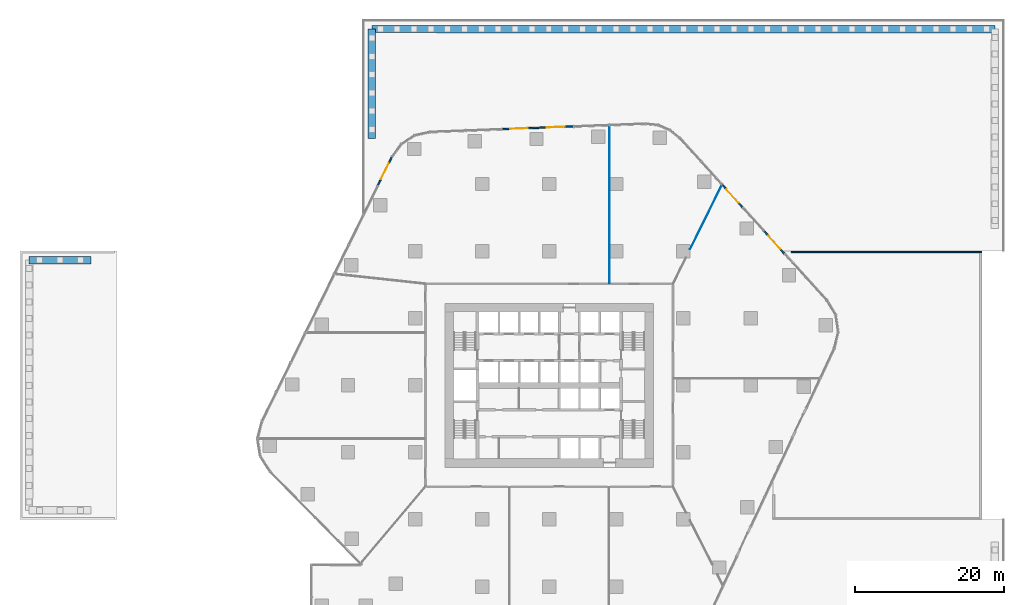
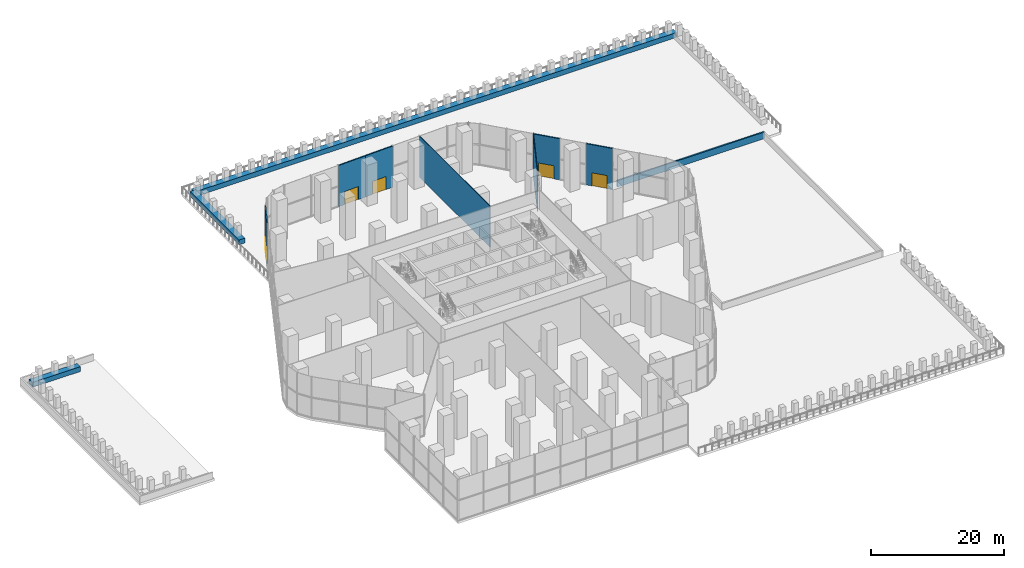
# One storey, part 17 of 22: 11 walls, 5 doors, 5 openings.
"""IFC4 building model written with IfcOpenShell, lengths in metres."""

from ifc_helpers import new_model, si_unit, direction, frame, frame_2d, origin, place, context, subcontext, project, spatial, rectangle, extrude, material, layer, layer_set, type_object, element, fill, save


model = new_model("IFC4")

# Units and contexts
model_context = context("Model", 3, precision=1e-05, world=origin(), true_north=direction((0.0, 1.0)))
body_context = subcontext(model_context, "Body", "Model", "MODEL_VIEW")
ifc_project = project(units=[si_unit("LENGTHUNIT", "METRE"), si_unit("AREAUNIT", "SQUARE_METRE"), si_unit("VOLUMEUNIT", "CUBIC_METRE"), si_unit("PLANEANGLEUNIT", "RADIAN"), si_unit("MASSUNIT", "GRAM", prefix="KILO")], contexts=[model_context])

# Site, building, storey
site_placement = place(None, origin())
site = spatial("IfcSite", under=ifc_project, at=site_placement, CompositionType="ELEMENT")
building_placement = place(site_placement, origin())
building = spatial("IfcBuilding", under=site, at=building_placement, Name="Dongbaek Canopy Tower", CompositionType="ELEMENT")
storey_placement = place(building_placement, frame((0.0, 0.0, 19.0)))
storey = spatial("IfcBuildingStorey", under=building, at=storey_placement, Name="L02", CompositionType="ELEMENT", Elevation=19.0)

# Wall, opening, door
ifc_material_1 = material(Name="Aluminium window wall", Category="aluminium")
ifc_layer_1 = layer(ifc_material_1, 0.199951171875)
ifc_layer_set_1 = layer_set([ifc_layer_1], Name="Entrance wall 200")
wall_type_1 = type_object("IfcWallType", Name="Entrance wall 200", PredefinedType="SOLIDWALL", material=ifc_layer_set_1)
wall_1_placement = place(storey_placement, frame((28.78564453125, 20.718994140625, 0.0), z_axis=(0.0, 0.0, 1.0), x_axis=(0.671263747399, -0.741218578712, 0.0)))
wall_1 = element("IfcWall", 1, at=wall_1_placement, inside=storey, type_object=wall_type_1, Name="Entrance wall L02 F1 3", PredefinedType="SOLIDWALL", context=body_context, shape_type="SweptSolid", body=[
    extrude(rectangle(XDim=4.195068359375, YDim=0.199951171875, at=frame_2d((2.09765625, 0.0))), origin(), (0.0, 0.0, 1.0), 7.550048828125),
])
opening_1_placement = place(wall_1_placement, frame((0.8974609375, 0.0, 0.0)))
opening_1 = element("IfcOpeningElement", 2, at=opening_1_placement, cuts=wall_1, Name="Opening L02-T03", PredefinedType="OPENING", context=body_context, shape_type="SweptSolid", body=[
    extrude(rectangle(XDim=2.39990234375, YDim=2.39990234375, at=frame_2d((1.199951171875, 1.199951171875))), frame((0.0, 0.10986328125, 0.0), z_axis=(0.0, -1.0, 0.0), x_axis=(1.0, 0.0, 0.0)), (0.0, 0.0, 1.0), 0.219970703125),
])
ifc_material_2 = material(Name="Clear glazing in aluminium frame", Category="aluminium")
door_type = type_object("IfcDoorType", Name="Entrance door ED1 2400 x 2400", OperationType="DOUBLE_DOOR_SINGLE_SWING", PredefinedType="DOOR", material=ifc_material_2)
door_1_placement = place(opening_1_placement, origin())
door_1 = element("IfcDoor", 3, at=door_1_placement, inside=storey, type_object=door_type, Name="Exterior door L02-T03", OperationType="SINGLE_SWING_LEFT", OverallHeight=2.39990234375, OverallWidth=2.39990234375, PredefinedType="DOOR", context=body_context, shape_type="SweptSolid", body=[
    extrude(rectangle(XDim=2.39990234375, YDim=2.39990234375, at=frame_2d((1.199951171875, 1.199951171875))), frame((0.0, 0.02490234375, 0.0), z_axis=(0.0, -1.0, 0.0), x_axis=(1.0, 0.0, 0.0)), (0.0, 0.0, 1.0), 0.050048828125),
])
fill(opening_1, door_1)

wall_2_placement = place(storey_placement, frame((23.153564453125, 26.938232421875, 0.0), z_axis=(0.0, 0.0, 1.0), x_axis=(0.671234791191, -0.741244801058, 0.0)))
wall_2 = element("IfcWall", 4, at=wall_2_placement, inside=storey, type_object=wall_type_1, Name="Entrance wall L02 F1 5", PredefinedType="SOLIDWALL", context=body_context, shape_type="SweptSolid", body=[
    extrude(rectangle(XDim=4.195068359375, YDim=0.199951171875, at=frame_2d((2.09765625, 0.0))), origin(), (0.0, 0.0, 1.0), 7.550048828125),
])
opening_2_placement = place(wall_2_placement, frame((0.8974609375, 0.0, 0.0)))
opening_2 = element("IfcOpeningElement", 5, at=opening_2_placement, cuts=wall_2, Name="Opening L02-T04", PredefinedType="OPENING", context=body_context, shape_type="SweptSolid", body=[
    extrude(rectangle(XDim=2.39990234375, YDim=2.39990234375, at=frame_2d((1.199951171875, 1.199951171875))), frame((0.0, 0.10986328125, 0.0), z_axis=(0.0, -1.0, 0.0), x_axis=(1.0, 0.0, 0.0)), (0.0, 0.0, 1.0), 0.219970703125),
])
door_2_placement = place(opening_2_placement, origin())
door_2 = element("IfcDoor", 6, at=door_2_placement, inside=storey, type_object=door_type, Name="Exterior door L02-T04", OperationType="SINGLE_SWING_LEFT", OverallHeight=2.39990234375, OverallWidth=2.39990234375, PredefinedType="DOOR", context=body_context, shape_type="SweptSolid", body=[
    extrude(rectangle(XDim=2.39990234375, YDim=2.39990234375, at=frame_2d((1.199951171875, 1.199951171875))), frame((0.0, 0.02490234375, 0.0), z_axis=(0.0, -1.0, 0.0), x_axis=(1.0, 0.0, 0.0)), (0.0, 0.0, 1.0), 0.050048828125),
])
fill(opening_2, door_2)

wall_3_placement = place(storey_placement, frame((-1.549072265625, 34.538818359375, 0.0), z_axis=(0.0, 0.0, 1.0), x_axis=(0.99926884885, 0.038233070992, 0.0)))
wall_3 = element("IfcWall", 7, at=wall_3_placement, inside=storey, type_object=wall_type_1, Name="Entrance wall L02 F2 3", PredefinedType="SOLIDWALL", context=body_context, shape_type="SweptSolid", body=[
    extrude(rectangle(XDim=4.827392578125, YDim=0.199951171875, at=frame_2d((2.41357421875, 0.0))), origin(), (0.0, 0.0, 1.0), 7.550048828125),
])
opening_3_placement = place(wall_3_placement, frame((1.213623046875, 0.0, 0.0)))
opening_3 = element("IfcOpeningElement", 8, at=opening_3_placement, cuts=wall_3, Name="Opening L02-T05", PredefinedType="OPENING", context=body_context, shape_type="SweptSolid", body=[
    extrude(rectangle(XDim=2.39990234375, YDim=2.39990234375, at=frame_2d((1.199951171875, 1.199951171875))), frame((0.0, 0.10986328125, 0.0), z_axis=(0.0, -1.0, 0.0), x_axis=(1.0, 0.0, 0.0)), (0.0, 0.0, 1.0), 0.219970703125),
])
door_3_placement = place(opening_3_placement, origin())
door_3 = element("IfcDoor", 9, at=door_3_placement, inside=storey, type_object=door_type, Name="Exterior door L02-T05", OperationType="SINGLE_SWING_LEFT", OverallHeight=2.39990234375, OverallWidth=2.39990234375, PredefinedType="DOOR", context=body_context, shape_type="SweptSolid", body=[
    extrude(rectangle(XDim=2.39990234375, YDim=2.39990234375, at=frame_2d((1.199951171875, 1.199951171875))), frame((0.0, 0.02490234375, 0.0), z_axis=(0.0, -1.0, 0.0), x_axis=(1.0, 0.0, 0.0)), (0.0, 0.0, 1.0), 0.050048828125),
])
fill(opening_3, door_3)

wall_4_placement = place(storey_placement, frame((-6.372802734375, 34.354248046875, 0.0), z_axis=(0.0, 0.0, 1.0), x_axis=(0.999268774919, 0.038235003231, 0.0)))
wall_4 = element("IfcWall", 10, at=wall_4_placement, inside=storey, type_object=wall_type_1, Name="Entrance wall L02 F2 4", PredefinedType="SOLIDWALL", context=body_context, shape_type="SweptSolid", body=[
    extrude(rectangle(XDim=4.8271484375, YDim=0.199951171875, at=frame_2d((2.41357421875, 0.0))), origin(), (0.0, 0.0, 1.0), 7.550048828125),
])
opening_4_placement = place(wall_4_placement, frame((1.11376953125, 0.0, 0.0)))
opening_4 = element("IfcOpeningElement", 11, at=opening_4_placement, cuts=wall_4, Name="Opening L02-T06", PredefinedType="OPENING", context=body_context, shape_type="SweptSolid", body=[
    extrude(rectangle(XDim=2.39990234375, YDim=2.39990234375, at=frame_2d((1.199951171875, 1.199951171875))), frame((0.0, 0.10986328125, 0.0), z_axis=(0.0, -1.0, 0.0), x_axis=(1.0, 0.0, 0.0)), (0.0, 0.0, 1.0), 0.219970703125),
])
door_4_placement = place(opening_4_placement, origin())
door_4 = element("IfcDoor", 12, at=door_4_placement, inside=storey, type_object=door_type, Name="Exterior door L02-T06", OperationType="SINGLE_SWING_LEFT", OverallHeight=2.39990234375, OverallWidth=2.39990234375, PredefinedType="DOOR", context=body_context, shape_type="SweptSolid", body=[
    extrude(rectangle(XDim=2.39990234375, YDim=2.39990234375, at=frame_2d((1.199951171875, 1.199951171875))), frame((0.0, 0.02490234375, 0.0), z_axis=(0.0, -1.0, 0.0), x_axis=(1.0, 0.0, 0.0)), (0.0, 0.0, 1.0), 0.050048828125),
])
fill(opening_4, door_4)

wall_5_placement = place(storey_placement, frame((-23.031005859375, 26.74560546875, 0.0), z_axis=(0.0, 0.0, 1.0), x_axis=(0.44130937851, 0.89735502029, 0.0)))
wall_5 = element("IfcWall", 13, at=wall_5_placement, inside=storey, type_object=wall_type_1, Name="Entrance wall L02 F3 1", PredefinedType="SOLIDWALL", context=body_context, shape_type="SweptSolid", body=[
    extrude(rectangle(XDim=4.390380859375, YDim=0.199951171875, at=frame_2d((2.1953125, 0.0))), origin(), (0.0, 0.0, 1.0), 7.550048828125),
])
opening_5_placement = place(wall_5_placement, frame((0.9951171875, 0.0, 0.0)))
opening_5 = element("IfcOpeningElement", 14, at=opening_5_placement, cuts=wall_5, Name="Opening L02-T07", PredefinedType="OPENING", context=body_context, shape_type="SweptSolid", body=[
    extrude(rectangle(XDim=2.39990234375, YDim=2.39990234375, at=frame_2d((1.199951171875, 1.199951171875))), frame((0.0, 0.10986328125, 0.0), z_axis=(0.0, -1.0, 0.0), x_axis=(1.0, 0.0, 0.0)), (0.0, 0.0, 1.0), 0.219970703125),
])
door_5_placement = place(opening_5_placement, origin())
door_5 = element("IfcDoor", 15, at=door_5_placement, inside=storey, type_object=door_type, Name="Exterior door L02-T07", OperationType="SINGLE_SWING_LEFT", OverallHeight=2.39990234375, OverallWidth=2.39990234375, PredefinedType="DOOR", context=body_context, shape_type="SweptSolid", body=[
    extrude(rectangle(XDim=2.39990234375, YDim=2.39990234375, at=frame_2d((1.199951171875, 1.199951171875))), frame((0.0, 0.02490234375, 0.0), z_axis=(0.0, -1.0, 0.0), x_axis=(1.0, 0.0, 0.0)), (0.0, 0.0, 1.0), 0.050048828125),
])
fill(opening_5, door_5)

# Walls
ifc_material_3 = material(Name="Precast concrete C40/50 with pale metal coping", Category="concrete")
ifc_layer_2 = layer(ifc_material_3, 0.25)
ifc_layer_set_2 = layer_set([ifc_layer_2], Name="Parapet 250")
wall_type_2 = type_object("IfcWallType", Name="Parapet 250", PredefinedType="PARAPET", material=ifc_layer_set_2)
wall_6_placement = place(storey_placement, frame((32.462158203125, 17.875, 0.0), z_axis=(0.0, 0.0, 1.0), x_axis=(1.0, 0.0, 0.0)))
element("IfcWall", 16, at=wall_6_placement, inside=storey, type_object=wall_type_2, Name="Parapet L02 EW 4", PredefinedType="PARAPET", context=body_context, shape_type="SweptSolid", body=[
    extrude(rectangle(XDim=25.537841796875, YDim=0.25, at=frame_2d((12.76904296875, 0.0))), origin(), (0.0, 0.0, 1.0), 1.199951171875),
])
ifc_material_4 = material(Name="Gypsum board partition, steel stud, 2 x 12.5 mm board", Category="steel")
ifc_layer_3 = layer(ifc_material_4, 0.10009765625)
ifc_layer_set_3 = layer_set([ifc_layer_3], Name="Partition 100 gypsum board")
wall_type_3 = type_object("IfcWallType", Name="Partition 100 gypsum board", PredefinedType="PARTITIONING", material=ifc_layer_set_3)
wall_7_placement = place(storey_placement, frame((18.89990234375, 18.252685546875, 0.0), z_axis=(0.0, 0.0, 1.0), x_axis=(0.443225904803, 0.89640994936, 0.0)))
element("IfcWall", 17, at=wall_7_placement, inside=storey, type_object=wall_type_3, Name="Partition", PredefinedType="PARTITIONING", context=body_context, shape_type="SweptSolid", body=[
    extrude(rectangle(XDim=9.635009765625, YDim=0.10009765625, at=frame_2d((4.8173828125, 0.0))), origin(), (0.0, 0.0, 1.0), 7.550048828125),
])
wall_8_placement = place(storey_placement, frame((8.094970703125, 13.675048828125, 0.0), z_axis=(0.0, 0.0, 1.0), x_axis=(0.0, 1.0, 0.0)))
element("IfcWall", 18, at=wall_8_placement, inside=storey, type_object=wall_type_3, Name="Partition", PredefinedType="PARTITIONING", context=body_context, shape_type="SweptSolid", body=[
    extrude(rectangle(XDim=21.212646484375, YDim=0.10009765625, at=frame_2d((10.6064453125, 0.0))), origin(), (0.0, 0.0, 1.0), 7.550048828125),
])
ifc_material_5 = material(Name="Precast concrete C40/50 planter", Category="concrete")
ifc_layer_4 = layer(ifc_material_5, 1.0)
ifc_layer_set_4 = layer_set([ifc_layer_4], Name="Podium planter trough 1000")
wall_type_4 = type_object("IfcWallType", Name="Podium planter trough 1000", PredefinedType="SOLIDWALL", material=ifc_layer_set_4)
wall_9_placement = place(storey_placement, frame((-23.7900390625, 33.093505859375, 0.0), z_axis=(0.0, 0.0, 1.0), x_axis=(0.0, 1.0, 0.0)))
element("IfcWall", 19, at=wall_9_placement, inside=storey, type_object=wall_type_4, Name="Podium planter 1", PredefinedType="SOLIDWALL", context=body_context, shape_type="SweptSolid", body=[
    extrude(rectangle(XDim=14.696533203125, YDim=1.0, at=frame_2d((7.34814453125, 0.0))), origin(), (0.0, 0.0, 1.0), 0.89990234375),
])
wall_10_placement = place(storey_placement, frame((-23.7900390625, 47.7900390625, 0.0), z_axis=(0.0, 0.0, 1.0), x_axis=(0.999999998908, -4.6736752e-05, 0.0)))
element("IfcWall", 20, at=wall_10_placement, inside=storey, type_object=wall_type_4, Name="Podium planter 2", PredefinedType="SOLIDWALL", context=body_context, shape_type="SweptSolid", body=[
    extrude(rectangle(XDim=83.579833984375, YDim=1.0, at=frame_2d((41.7900390625, 0.0))), origin(), (0.0, 0.0, 1.0), 0.89990234375),
])
wall_11_placement = place(storey_placement, frame((-69.786376953125, 16.78955078125, 0.0), z_axis=(0.0, 0.0, 1.0), x_axis=(0.999999956597, -0.000294628902, 0.0)))
element("IfcWall", 21, at=wall_11_placement, inside=storey, type_object=wall_type_4, Name="Podium planter 7", PredefinedType="SOLIDWALL", context=body_context, shape_type="SweptSolid", body=[
    extrude(rectangle(XDim=8.286376953125, YDim=1.0, at=frame_2d((4.14306640625, 0.0))), origin(), (0.0, 0.0, 1.0), 0.89990234375),
])

save(model, "model.ifc")
